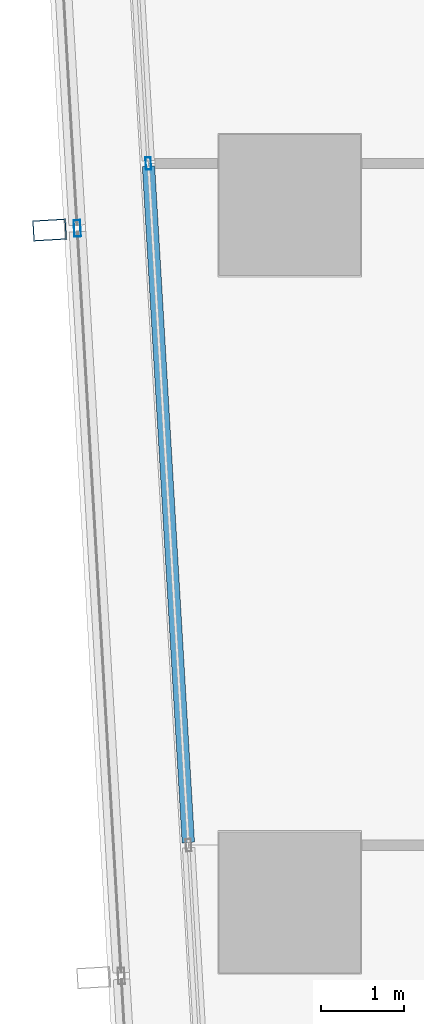
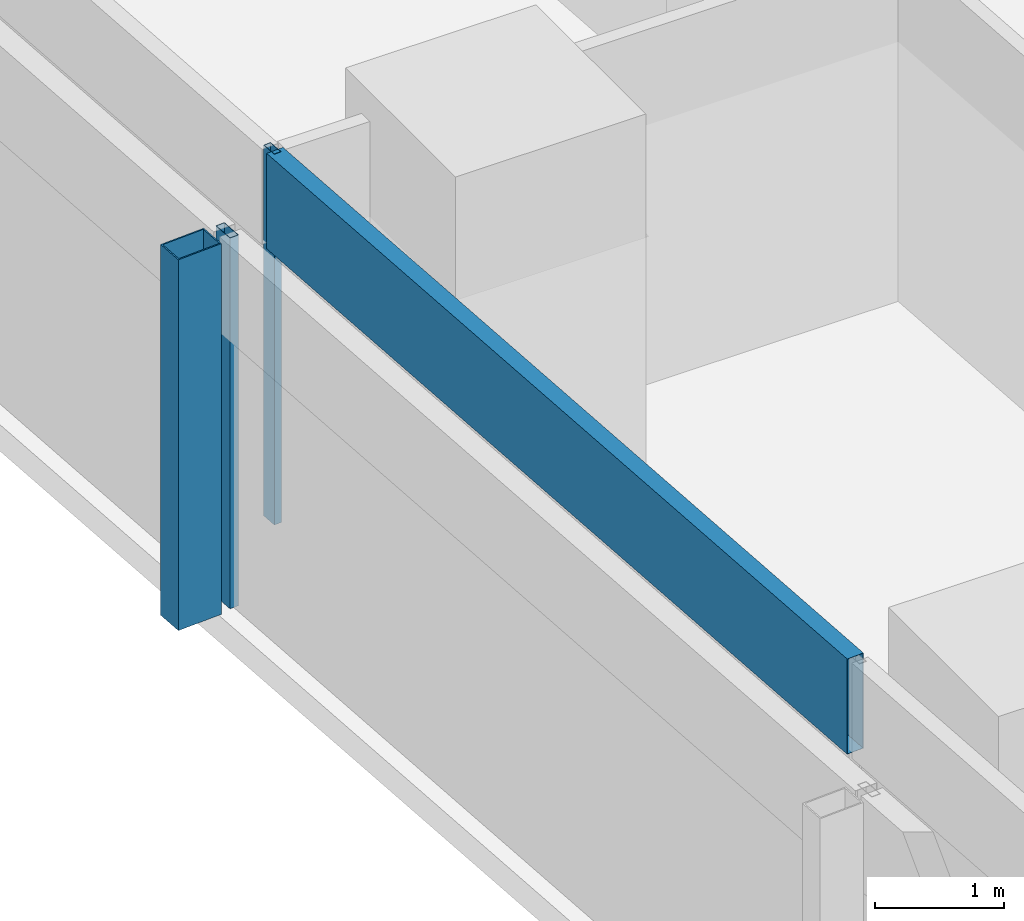
# One storey, part 8 of 34: 4 members, 2 elements without a shape of their own.
"""IFC4 building model written with IfcOpenShell, lengths in metres."""

import ifcopenshell
import ifcopenshell.guid

model = None  # the IFC model being written
_history = None  # IfcOwnerHistory: only IFC2X3 demands one
_inside = {}  # id of a spatial element -> (the spatial element, [elements in it])
_under = {}  # id of a project, library or spatial element -> (it, [spatial elements below it])
_declared = {}  # id of a project -> (the project, [libraries it declares])
_typed = {}  # id of a type object -> (the type object, [elements of that type])
_made_of = {}  # id of a material, layer set ... -> (it, [elements and type objects made of it])


def new_model(schema):
    """Start an empty IFC model of exactly this schema.

    Asked for "IFC4X3", IfcOpenShell would pick the latest addendum, in which some entities
    have other attributes; the version numbers below select the first issue.
    IFC2X3 requires an IfcOwnerHistory on every rooted entity: one is made here for all.
    """
    global model, _history
    if schema == "IFC4X3":
        model = ifcopenshell.file(schema_version=(4, 3, 0, 0))
    else:
        model = ifcopenshell.file(schema=schema)
    _inside.clear()
    _under.clear()
    _declared.clear()
    _typed.clear()
    _made_of.clear()
    _history = None
    if model.schema == "IFC2X3":
        org = make("IfcOrganization", Name="unknown")
        user = make(
            "IfcPersonAndOrganization",
            ThePerson=make("IfcPerson", FamilyName="unknown"),
            TheOrganization=org,
        )
        app = make(
            "IfcApplication",
            ApplicationDeveloper=org,
            Version="unknown",
            ApplicationFullName="unknown",
            ApplicationIdentifier="unknown",
        )
        _history = make(
            "IfcOwnerHistory",
            OwningUser=user,
            OwningApplication=app,
            ChangeAction="ADDED",
            CreationDate=0,
        )
    return model


def make(cls, **values):
    """One entity of the class cls with the attributes given. An attribute that is None is left unset."""
    return model.create_entity(
        cls, **{name: value for name, value in values.items() if value is not None}
    )


def rooted(cls, **values):
    """An entity with a GlobalId (a new one), such as an element, a storey or a relation."""
    return make(cls, GlobalId=ifcopenshell.guid.new(), OwnerHistory=_history, **values)


def si_unit(unit_type, name, prefix=None):
    """IfcSIUnit, for example si_unit("LENGTHUNIT", "METRE", prefix="MILLI")."""
    return make("IfcSIUnit", UnitType=unit_type, Prefix=prefix, Name=name)


def assignment(units):
    """IfcUnitAssignment: the units of a project."""
    return None if units is None else make("IfcUnitAssignment", Units=units)


def point(xyz):
    """IfcCartesianPoint."""
    return None if xyz is None else make("IfcCartesianPoint", Coordinates=xyz)


def direction(xyz):
    """IfcDirection."""
    return None if xyz is None else make("IfcDirection", DirectionRatios=xyz)


def frame(location, z_axis=None, x_axis=None):
    """IfcAxis2Placement3D, a coordinate frame: its origin and axes. An axis left out is left unset."""
    return make(
        "IfcAxis2Placement3D",
        Location=point(location),
        Axis=direction(z_axis),
        RefDirection=direction(x_axis),
    )


def frame_2d(location, x_axis=None):
    """IfcAxis2Placement2D, a coordinate frame in the plane: its origin and x axis."""
    return make(
        "IfcAxis2Placement2D", Location=point(location), RefDirection=direction(x_axis)
    )


def origin():
    """The frame at (0, 0, 0) with its axes left unset."""
    return frame((0.0, 0.0, 0.0))


def origin_2d():
    """The frame at (0, 0) in the plane with its x axis left unset."""
    return frame_2d((0.0, 0.0))


def place(relative_to, where):
    """IfcLocalPlacement: puts the frame where relative to a parent placement (None: the world)."""
    return make(
        "IfcLocalPlacement", PlacementRelTo=relative_to, RelativePlacement=where
    )


def context(
    kind, dimensions, precision=None, world=None, true_north=None, identifier=None
):
    """IfcGeometricRepresentationContext, for example the 3D "Model" context."""
    return make(
        "IfcGeometricRepresentationContext",
        ContextIdentifier=identifier,
        ContextType=kind,
        CoordinateSpaceDimension=dimensions,
        Precision=precision,
        WorldCoordinateSystem=world,
        TrueNorth=true_north,
    )


def subcontext(parent, identifier, kind, view, scale=None):
    """IfcGeometricRepresentationSubContext, for example "Body" below "Model"."""
    return make(
        "IfcGeometricRepresentationSubContext",
        ContextIdentifier=identifier,
        ContextType=kind,
        ParentContext=parent,
        TargetScale=scale,
        TargetView=view,
    )


def project(units=None, contexts=None):
    """IfcProject with its units and contexts."""
    return rooted(
        "IfcProject",
        Name="project",
        RepresentationContexts=contexts,
        UnitsInContext=assignment(units),
    )


def spatial(cls, under=None, at=None, **own):
    """A site, building, storey or space (cls), placed at a placement, below another one or the project."""
    s = rooted(cls, ObjectPlacement=at, **own)
    if under is not None:
        _under.setdefault(under.id(), (under, []))[1].append(s)
    return s


def profile(cls, at=None, kind="AREA", **sizes):
    """A parametric profile (cls). Its sizes go by their IFC names, for example OverallWidth=200.0."""
    return make(cls, ProfileType=kind, Position=at, **sizes)


def hollow_rectangle(**sizes):
    """IfcRectangleHollowProfileDef."""
    return profile("IfcRectangleHollowProfileDef", **sizes)


def extrude(swept, where, along, depth):
    """IfcExtrudedAreaSolid: the profile swept, set in the frame where, extruded along a direction by depth."""
    return make(
        "IfcExtrudedAreaSolid",
        SweptArea=swept,
        Position=where,
        ExtrudedDirection=direction(along),
        Depth=depth,
    )


def shape(context_of_items, identifier, shape_type, items):
    """IfcShapeRepresentation: the items that make up one representation, for example the "Body"."""
    return make(
        "IfcShapeRepresentation",
        ContextOfItems=context_of_items,
        RepresentationIdentifier=identifier,
        RepresentationType=shape_type,
        Items=items,
    )


def material(Name=None, Category=None):
    """IfcMaterial."""
    return make("IfcMaterial", Name=Name, Category=Category)


def material_profile(
    of_material, cross_section, Name=None, Category=None, Priority=None
):
    """IfcMaterialProfile: a cross section and its material."""
    return make(
        "IfcMaterialProfile",
        Name=Name,
        Material=of_material,
        Profile=cross_section,
        Priority=Priority,
        Category=Category,
    )


def profile_set(profiles, Name=None, composite=None):
    """IfcMaterialProfileSet."""
    return make(
        "IfcMaterialProfileSet",
        Name=Name,
        MaterialProfiles=profiles,
        CompositeProfile=composite,
    )


def made_of(thing, what):
    """Note that an element or type object is made of a material, layer set ...; save() writes the relation."""
    if what is not None:
        _made_of.setdefault(what.id(), (what, []))[1].append(thing)
    return thing


def type_object(cls, material=None, **own):
    """A type object (cls), such as IfcWallType, which elements share."""
    return made_of(rooted(cls, **own), material)


def element(
    cls,
    number,
    at=None,
    inside=None,
    cuts=None,
    type_object=None,
    material=None,
    context=None,
    identifier="Body",
    shape_type=None,
    held_by="IfcProductDefinitionShape",
    body=None,
    shapes=None,
    **own,
):
    """One element of the class cls, such as IfcWall. Its Tag is "e" and its number.

    at: its placement. inside: the storey or other place that contains it. cuts: it is an
    opening in that element (IfcRelVoidsElement). A single representation is given by context,
    identifier, shape_type and body (its items); several are given by shapes. held_by: the class
    of the entity that holds the representations. save() writes the other relations.
    """
    e = rooted(cls, Tag="e%d" % number, ObjectPlacement=at, **own)
    if body is not None:
        shapes = [shape(context, identifier, shape_type, body)]
    if shapes is not None:
        e.Representation = make(held_by, Representations=shapes)
    if inside is not None:
        _inside.setdefault(inside.id(), (inside, []))[1].append(e)
    if cuts is not None:
        rooted(
            "IfcRelVoidsElement", RelatingBuildingElement=cuts, RelatedOpeningElement=e
        )
    if type_object is not None:
        _typed.setdefault(type_object.id(), (type_object, []))[1].append(e)
    return made_of(e, material)


def aggregate(whole, parts):
    """IfcRelAggregates: a whole, such as a stair, and the parts it consists of."""
    return rooted("IfcRelAggregates", RelatingObject=whole, RelatedObjects=parts)


def save(model, path):
    """Write the relations noted so far, then the file.

    IfcRelAggregates (storeys below a building ...), IfcRelContainedInSpatialStructure (elements
    in a storey), IfcRelDefinesByType, IfcRelAssociatesMaterial and IfcRelDeclares: one each for
    every whole, place, type object, material and project.
    """
    for whole, parts in _under.values():
        aggregate(whole, parts)
    for where, things in _inside.values():
        rooted(
            "IfcRelContainedInSpatialStructure",
            RelatedElements=things,
            RelatingStructure=where,
        )
    for kind, things in _typed.values():
        rooted("IfcRelDefinesByType", RelatedObjects=things, RelatingType=kind)
    for what, things in _made_of.values():
        rooted("IfcRelAssociatesMaterial", RelatedObjects=things, RelatingMaterial=what)
    for by, libraries in _declared.values():
        rooted("IfcRelDeclares", RelatingContext=by, RelatedDefinitions=libraries)
    model.write(path)


model = new_model("IFC4")

# Units and contexts
model_context = context("Model", 3, precision=1e-05, world=origin(), true_north=direction((0.0, 1.0)))
body_context = subcontext(model_context, "Body", "Model", "MODEL_VIEW")
ifc_project = project(units=[si_unit("LENGTHUNIT", "METRE"), si_unit("AREAUNIT", "SQUARE_METRE"), si_unit("VOLUMEUNIT", "CUBIC_METRE"), si_unit("PLANEANGLEUNIT", "RADIAN"), si_unit("MASSUNIT", "GRAM", prefix="KILO")], contexts=[model_context])

# Site, building, storey
site_placement = place(None, origin())
site = spatial("IfcSite", under=ifc_project, at=site_placement, CompositionType="ELEMENT")
building_placement = place(site_placement, origin())
building = spatial("IfcBuilding", under=site, at=building_placement, Name="Rekha Terrace Tower", CompositionType="ELEMENT")
storey_placement = place(building_placement, frame((0.0, 0.0, 176.449951171875)))
storey = spatial("IfcBuildingStorey", under=building, at=storey_placement, Name="L44", CompositionType="ELEMENT", Elevation=176.449951171875)

# Curtain wall, member
ifc_material_1 = material(Name="Aluminium framing", Category="aluminium")
curtain_wall_type_1 = type_object("IfcCurtainWallType", Name="CW2 double skin outer glazing", PredefinedType="USERDEFINED", material=ifc_material_1)
curtain_wall_1_placement = place(storey_placement, origin())
curtain_wall_1 = element("IfcCurtainWall", 1, at=curtain_wall_1_placement, inside=storey, type_object=curtain_wall_type_1, Name="CW2 double skin outer glazing", ObjectType="DOUBLE SKIN OUTER GLAZING", PredefinedType="USERDEFINED")
ifc_material_2 = material(Name="Steel S355 with fluorocarbon finish", Category="steel")
ifc_material_profile_1 = material_profile(ifc_material_2, hollow_rectangle(XDim=0.25, YDim=0.39990234375, WallThickness=0.012451171875, at=origin_2d()), Name="RHS400x250x12.5")
ifc_profile_set_1 = profile_set([ifc_material_profile_1], Name="Steel S355 with fluorocarbon finish")
member_type_1 = type_object("IfcMemberType", Name="BL1 facade blade RHS 400 x 250", PredefinedType="USERDEFINED", material=ifc_profile_set_1)
member_1_placement = place(storey_placement, frame((5.50634765625, 33.300048828125, 0.0), z_axis=(0.0, 0.0, 1.0), x_axis=(0.058764522885, -0.998271872212, 0.0)))
member_1 = element("IfcMember", 2, at=member_1_placement, type_object=member_type_1, Name="Facade blade", ObjectType="FACADE BLADE", PredefinedType="USERDEFINED", context=body_context, shape_type="SweptSolid", body=[
    extrude(hollow_rectangle(XDim=0.25, YDim=0.39990234375, WallThickness=0.012451171875, at=origin_2d()), origin(), (0.0, 0.0, 1.0), 3.5),
])

# Curtain wall, members
curtain_wall_type_2 = type_object("IfcCurtainWallType", Name="CW1 double skin inner glazing", PredefinedType="USERDEFINED", material=ifc_material_1)
curtain_wall_2_placement = place(storey_placement, origin())
curtain_wall_2 = element("IfcCurtainWall", 3, at=curtain_wall_2_placement, inside=storey, type_object=curtain_wall_type_2, Name="CW1 double skin inner glazing", ObjectType="DOUBLE SKIN INNER GLAZING", PredefinedType="USERDEFINED")
ifc_material_3 = material(Name="Aluminium mullion section", Category="aluminium")
ifc_material_profile_2 = material_profile(ifc_material_3, hollow_rectangle(XDim=0.06494140625, YDim=0.14990234375, WallThickness=0.00390625, at=origin_2d()), Name="AL RHS 65x150")
ifc_profile_set_2 = profile_set([ifc_material_profile_2], Name="Aluminium mullion section")
member_type_2 = type_object("IfcMemberType", Name="CW1 mullion RHS 65 x 150", PredefinedType="MULLION", material=ifc_profile_set_2)
member_2_placement = place(storey_placement, frame((6.6962890625, 34.1015625, 0.0), z_axis=(0.0, 0.0, 1.0), x_axis=(0.998271839267, 0.058765082551, 0.0)))
member_2 = element("IfcMember", 4, at=member_2_placement, type_object=member_type_2, Name="CW1 mullion 2", PredefinedType="MULLION", context=body_context, shape_type="SweptSolid", body=[
    extrude(hollow_rectangle(XDim=0.06494140625, YDim=0.14990234375, WallThickness=0.00390625, at=origin_2d()), origin(), (0.0, 0.0, 1.0), 3.5),
])
ifc_material_4 = material(Name="Insulated aluminium spandrel box", Category="aluminium")
ifc_material_profile_3 = material_profile(ifc_material_4, hollow_rectangle(XDim=0.14990234375, YDim=0.89990234375, WallThickness=0.0029296875, at=origin_2d()), Name="AL SPANDREL BOX 150x900")
ifc_profile_set_3 = profile_set([ifc_material_profile_3], Name="Insulated aluminium spandrel box")
member_type_3 = type_object("IfcMemberType", Name="CW1 spandrel transom 150 x 900", PredefinedType="USERDEFINED", material=ifc_profile_set_3)
member_3_placement = place(storey_placement, frame((6.6982421875, 34.069091796875, 3.050048828125), z_axis=(0.05874481603, -0.998273032086, 0.0), x_axis=(0.998273032086, 0.05874481603, 0.0)))
member_3 = element("IfcMember", 5, at=member_3_placement, type_object=member_type_3, Name="CW1 spandrel transom 2", ObjectType="TRANSOM", PredefinedType="USERDEFINED", context=body_context, shape_type="SweptSolid", body=[
    extrude(hollow_rectangle(XDim=0.14990234375, YDim=0.89990234375, WallThickness=0.0029296875, at=origin_2d()), origin(), (0.0, 0.0, 1.0), 8.162353515625),
])
aggregate(curtain_wall_2, [member_2, member_3])

# Member
ifc_material_profile_4 = material_profile(ifc_material_3, hollow_rectangle(XDim=0.080078125, YDim=0.199951171875, WallThickness=0.00390625, at=origin_2d()), Name="AL RHS 80x200")
ifc_profile_set_4 = profile_set([ifc_material_profile_4], Name="Aluminium mullion section")
member_type_4 = type_object("IfcMemberType", Name="CW2 mullion RHS 80 x 200", PredefinedType="MULLION", material=ifc_profile_set_4)
member_4_placement = place(storey_placement, frame((5.840576171875, 33.31982421875, 0.0), z_axis=(0.0, 0.0, 1.0), x_axis=(0.99827183927, 0.058765082499, 0.0)))
member_4 = element("IfcMember", 6, at=member_4_placement, type_object=member_type_4, Name="CW2 mullion 2", PredefinedType="MULLION", context=body_context, shape_type="SweptSolid", body=[
    extrude(hollow_rectangle(XDim=0.080078125, YDim=0.199951171875, WallThickness=0.00390625, at=origin_2d()), origin(), (0.0, 0.0, 1.0), 3.5),
])

aggregate(curtain_wall_1, [member_4, member_1])

save(model, "model.ifc")
